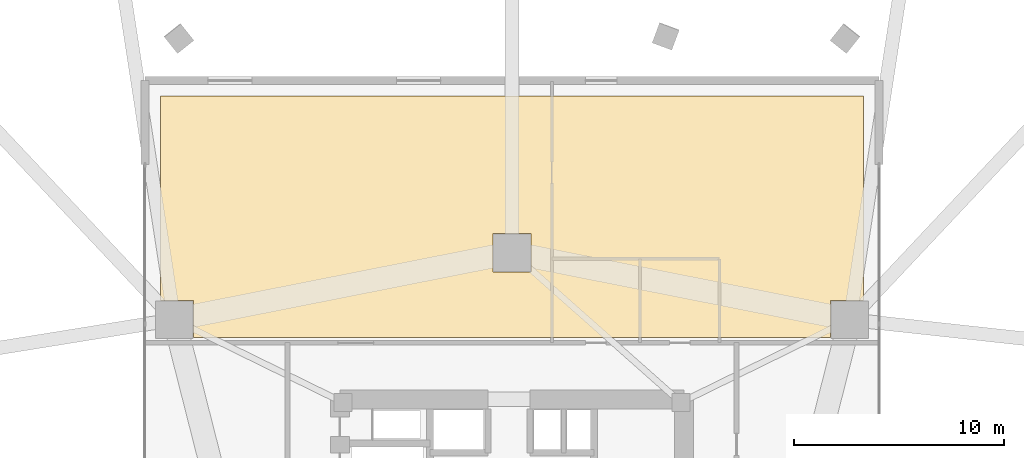
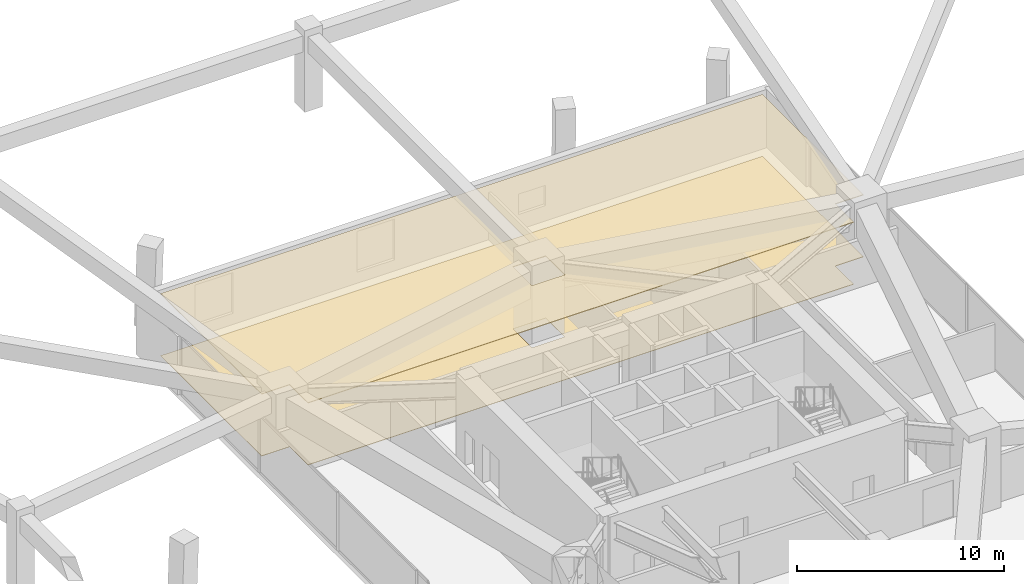
# One storey, part 15 of 15: 2 coverings.
"""IFC4 building model written with IfcOpenShell, lengths in metres."""

from ifc_helpers import new_model, si_unit, direction, frame, origin, place, context, subcontext, project, spatial, polyline, outline, extrude, material, layer, layer_set, type_object, element, save


model = new_model("IFC4")

# Units and contexts
model_context = context("Model", 3, precision=1e-05, world=origin(), true_north=direction((0.0, 1.0)))
body_context = subcontext(model_context, "Body", "Model", "MODEL_VIEW")
ifc_project = project(units=[si_unit("LENGTHUNIT", "METRE"), si_unit("AREAUNIT", "SQUARE_METRE"), si_unit("VOLUMEUNIT", "CUBIC_METRE"), si_unit("PLANEANGLEUNIT", "RADIAN"), si_unit("MASSUNIT", "GRAM", prefix="KILO")], contexts=[model_context])

# Site, building, storey
site_placement = place(None, origin())
site = spatial("IfcSite", under=ifc_project, at=site_placement, CompositionType="ELEMENT")
building_placement = place(site_placement, origin())
building = spatial("IfcBuilding", under=site, at=building_placement, Name="Talyreon Biosciences Tower", CompositionType="ELEMENT")
storey_placement = place(building_placement, frame((0.0, 0.0, 5.39990234375)))
storey = spatial("IfcBuildingStorey", under=building, at=storey_placement, Name="L01", CompositionType="ELEMENT", Elevation=5.39990234375)

# Coverings
ifc_material_1 = material(Name="Cleanable acoustic mineral-fibre ceiling tile", Category="gypsum")
ifc_layer_1 = layer(ifc_material_1, 0.0400390625)
ifc_layer_set_1 = layer_set([ifc_layer_1], Name="Cleanable acoustic mineral-fibre ceiling tile")
covering_type_1 = type_object("IfcCoveringType", Name="AcousticCleanroomCeiling_40", PredefinedType="CEILING", material=ifc_layer_set_1)
covering_1_placement = place(storey_placement, frame((0.0, 0.0, 3.64013671875)))
element("IfcCovering", 1, at=covering_1_placement, inside=storey, type_object=covering_type_1, Name="L01 Acoustic Laboratory Ceiling", PredefinedType="CEILING", context=body_context, shape_type="SweptSolid", body=[
    extrude(outline(polyline([(82.75, 89.25), (82.75, 79.513671875), (81.1875, 79.513671875), (81.1875, 77.75), (50.8125, 77.75), (50.8125, 79.513671875), (49.25, 79.513671875), (49.25, 89.25), (82.75, 89.25)]), holes=[polyline([(65.0849609375, 80.873779296875), (66.9150390625, 80.873779296875), (66.9150390625, 82.703857421875), (65.0849609375, 82.703857421875), (65.0849609375, 80.873779296875)])]), origin(), (0.0, 0.0, 1.0), 0.0400390625),
])
ifc_material_2 = material(Name="Polished limestone terrazzo flooring", Category="masonry")
ifc_layer_2 = layer(ifc_material_2, 0.02490234375)
ifc_layer_set_2 = layer_set([ifc_layer_2], Name="Polished limestone terrazzo flooring")
covering_type_2 = type_object("IfcCoveringType", Name="TerrazzoPublicFlooring_25", PredefinedType="FLOORING", material=ifc_layer_set_2)
covering_2_placement = place(storey_placement, origin())
element("IfcCovering", 2, at=covering_2_placement, inside=storey, type_object=covering_type_2, Name="L01 Laboratory Floor Finish", PredefinedType="FLOORING", context=body_context, shape_type="SweptSolid", body=[
    extrude(outline(polyline([(82.75, 89.25), (82.75, 79.513671875), (81.1875, 79.513671875), (81.1875, 77.75), (50.8125, 77.75), (50.8125, 79.513671875), (49.25, 79.513671875), (49.25, 89.25), (82.75, 89.25)]), holes=[polyline([(65.0849609375, 80.873779296875), (66.9150390625, 80.873779296875), (66.9150390625, 82.703857421875), (65.0849609375, 82.703857421875), (65.0849609375, 80.873779296875)])]), origin(), (0.0, 0.0, 1.0), 0.025146484375),
])

save(model, "model.ifc")
